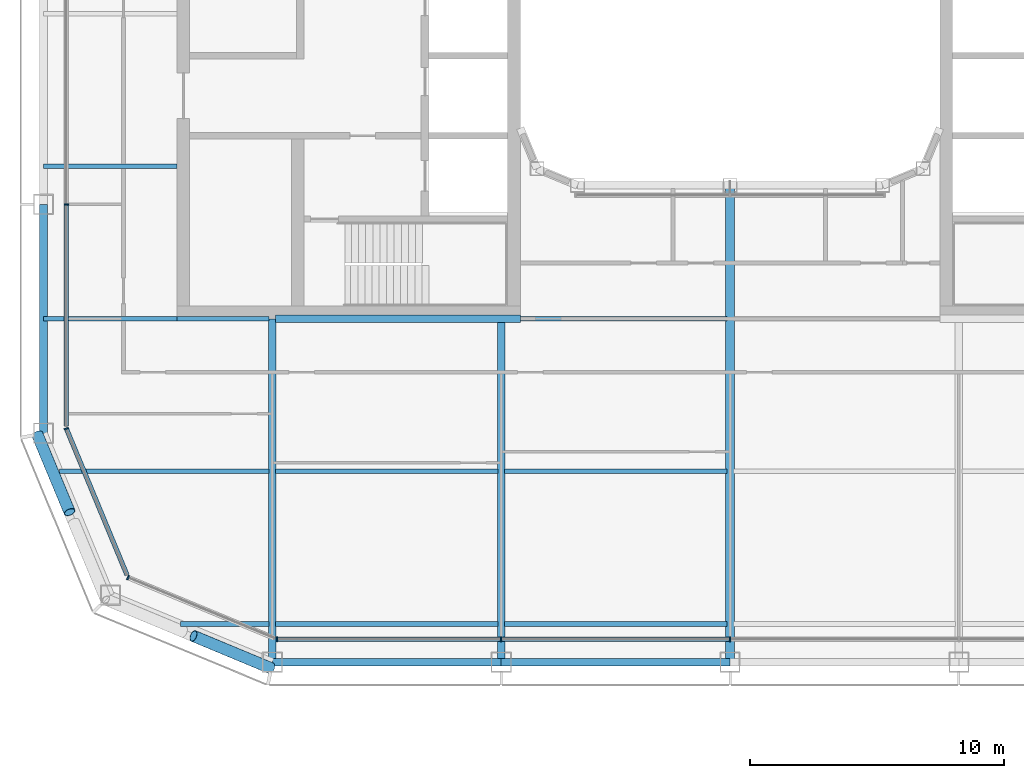
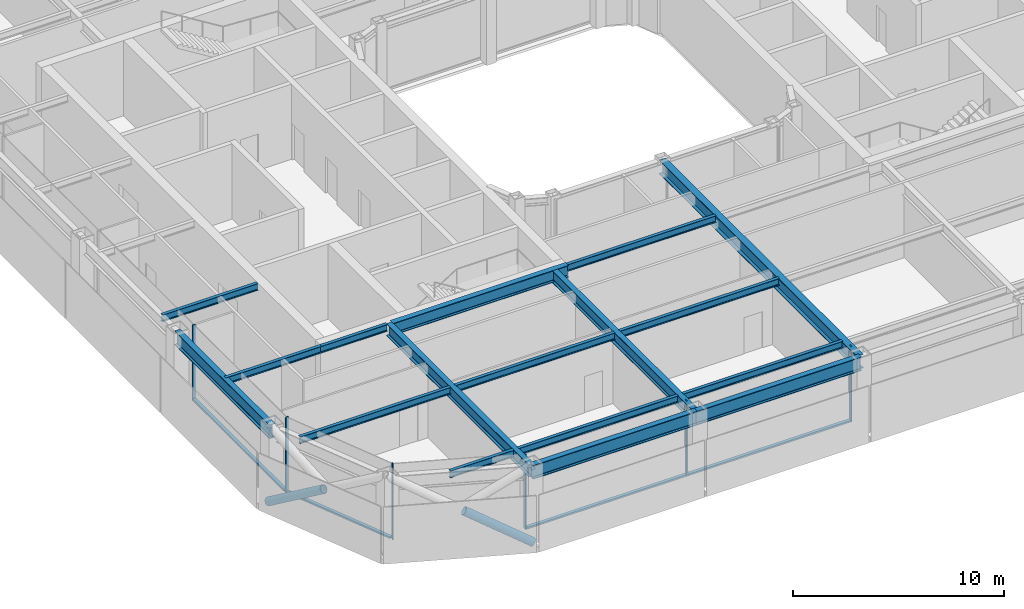
# One storey, part 2 of 23: 17 beams, 12 members, 4 elements without a shape of their own.
"""IFC4 building model written with IfcOpenShell, lengths in metres."""

from ifc_helpers import new_model, si_unit, direction, frame, origin, origin_2d, place, context, subcontext, project, spatial, rectangle, hollow_circle, i_section, extrude, material, layer, layer_set, material_profile, profile_set, type_object, element, aggregate, save


model = new_model("IFC4")

# Units and contexts
model_context = context("Model", 3, precision=1e-05, world=origin(), true_north=direction((0.0, 1.0)))
body_context = subcontext(model_context, "Body", "Model", "MODEL_VIEW")
ifc_project = project(units=[si_unit("LENGTHUNIT", "METRE"), si_unit("AREAUNIT", "SQUARE_METRE"), si_unit("VOLUMEUNIT", "CUBIC_METRE"), si_unit("PLANEANGLEUNIT", "RADIAN"), si_unit("MASSUNIT", "GRAM", prefix="KILO")], contexts=[model_context])

# Site, building, storey
site_placement = place(None, origin())
site = spatial("IfcSite", under=ifc_project, at=site_placement, CompositionType="ELEMENT")
building_placement = place(site_placement, origin())
building = spatial("IfcBuilding", under=site, at=building_placement, Name="Siwar Civic Tower", CompositionType="ELEMENT")
storey_placement = place(building_placement, frame((0.0, 0.0, 237.699951171875)))
storey = spatial("IfcBuildingStorey", under=building, at=storey_placement, Name="L51", CompositionType="ELEMENT", Elevation=237.699951171875)

# Curtain wall, members
ifc_material_1 = material(Name="Aluminium and glass", Category="aluminium")
ifc_layer_1 = layer(ifc_material_1, 0.179931640625)
ifc_layer_set_1 = layer_set([ifc_layer_1], Name="Aluminium and glass")
curtain_wall_type_1 = type_object("IfcCurtainWallType", Name="ENV-CW-C", PredefinedType="NOTDEFINED", material=ifc_layer_set_1)
curtain_wall_1_placement = place(storey_placement, origin())
curtain_wall_1 = element("IfcCurtainWall", 1, at=curtain_wall_1_placement, inside=storey, type_object=curtain_wall_type_1, Name="Curtain wall C S", PredefinedType="NOTDEFINED")
ifc_material_2 = material(Name="Aluminium 6063-T6", Category="aluminium")
ifc_material_profile_1 = material_profile(ifc_material_2, rectangle(XDim=0.179931640625, YDim=0.06005859375, at=origin_2d()), Name="AL 180x60")
ifc_profile_set_1 = profile_set([ifc_material_profile_1], Name="Aluminium 6063-T6")
member_type_1 = type_object("IfcMemberType", Name="ENV-MULLION-C", PredefinedType="MULLION", material=ifc_profile_set_1)
member_1_placement = place(storey_placement, frame((-17.821044921875, -26.10009765625, 0.0), z_axis=(0.0, 0.0, 1.0), x_axis=(0.0, 1.0, 0.0)))
member_1 = element("IfcMember", 2, at=member_1_placement, type_object=member_type_1, Name="Mullion C S 1", PredefinedType="MULLION", context=body_context, shape_type="SweptSolid", body=[
    extrude(rectangle(XDim=0.179931640625, YDim=0.06005859375, at=origin_2d()), origin(), (0.0, 0.0, 1.0), 4.35009765625),
])
member_2_placement = place(storey_placement, frame((-9.0, -26.10009765625, 0.0), z_axis=(0.0, 0.0, 1.0), x_axis=(0.0, 1.0, 0.0)))
member_2 = element("IfcMember", 3, at=member_2_placement, type_object=member_type_1, Name="Mullion C S 2", PredefinedType="MULLION", context=body_context, shape_type="SweptSolid", body=[
    extrude(rectangle(XDim=0.179931640625, YDim=0.06005859375, at=origin_2d()), origin(), (0.0, 0.0, 1.0), 4.35009765625),
])
member_3_placement = place(storey_placement, frame((0.0, -26.10009765625, 0.0), z_axis=(0.0, 0.0, 1.0), x_axis=(0.0, 1.0, 0.0)))
member_3 = element("IfcMember", 4, at=member_3_placement, type_object=member_type_1, Name="Mullion C S 3", PredefinedType="MULLION", context=body_context, shape_type="SweptSolid", body=[
    extrude(rectangle(XDim=0.179931640625, YDim=0.06005859375, at=origin_2d()), origin(), (0.0, 0.0, 1.0), 4.35009765625),
])

# Curtain wall, member
curtain_wall_2_placement = place(storey_placement, origin())
curtain_wall_2 = element("IfcCurtainWall", 5, at=curtain_wall_2_placement, inside=storey, type_object=curtain_wall_type_1, Name="Curtain wall C W", PredefinedType="NOTDEFINED")
member_4_placement = place(storey_placement, frame((-26.10009765625, -9.0, 0.0), z_axis=(0.0, 0.0, 1.0), x_axis=(1.0, 0.0, 0.0)))
member_4 = element("IfcMember", 6, at=member_4_placement, type_object=member_type_1, Name="Mullion C W 4", PredefinedType="MULLION", context=body_context, shape_type="SweptSolid", body=[
    extrude(rectangle(XDim=0.179931640625, YDim=0.06005859375, at=origin_2d()), origin(), (0.0, 0.0, 1.0), 4.35009765625),
])

ifc_material_3 = material(Name="Aluminium clad insulated panel", Category="aluminium")
ifc_layer_2 = layer(ifc_material_3, 0.179931640625)
ifc_layer_set_2 = layer_set([ifc_layer_2], Name="Aluminium clad insulated panel")
curtain_wall_type_2 = type_object("IfcCurtainWallType", Name="ENV-CW-CX", PredefinedType="NOTDEFINED", material=ifc_layer_set_2)
curtain_wall_3_placement = place(storey_placement, origin())
curtain_wall_3 = element("IfcCurtainWall", 7, at=curtain_wall_3_placement, inside=storey, type_object=curtain_wall_type_2, Name="Curtain wall C SW1", PredefinedType="NOTDEFINED")
member_5_placement = place(storey_placement, frame((-26.10009765625, -17.821044921875, 0.0), z_axis=(0.0, 0.0, 1.0), x_axis=(0.923879532511, 0.382683432365, 0.0)))
member_5 = element("IfcMember", 8, at=member_5_placement, type_object=member_type_1, Name="Mullion C SW1 1", PredefinedType="MULLION", context=body_context, shape_type="SweptSolid", body=[
    extrude(rectangle(XDim=0.179931640625, YDim=0.06005859375, at=origin_2d()), origin(), (0.0, 0.0, 1.0), 4.35009765625),
])

curtain_wall_4_placement = place(storey_placement, origin())
curtain_wall_4 = element("IfcCurtainWall", 9, at=curtain_wall_4_placement, inside=storey, type_object=curtain_wall_type_2, Name="Curtain wall C SW2", PredefinedType="NOTDEFINED")
member_6_placement = place(storey_placement, frame((-23.675048828125, -23.675048828125, 0.0), z_axis=(0.0, 0.0, 1.0), x_axis=(0.382683432365, 0.923879532511, 0.0)))
member_6 = element("IfcMember", 10, at=member_6_placement, type_object=member_type_1, Name="Mullion C SW2 1", PredefinedType="MULLION", context=body_context, shape_type="SweptSolid", body=[
    extrude(rectangle(XDim=0.179931640625, YDim=0.06005859375, at=origin_2d()), origin(), (0.0, 0.0, 1.0), 4.35009765625),
])
aggregate(curtain_wall_4, [member_6])

# Member
ifc_material_4 = material(Name="Aluminium 6063-T6", Category="aluminium")
ifc_material_profile_2 = material_profile(ifc_material_4, rectangle(XDim=0.179931640625, YDim=0.10009765625, at=origin_2d()), Name="AL 180x100")
ifc_profile_set_2 = profile_set([ifc_material_profile_2], Name="Aluminium 6063-T6")
member_type_2 = type_object("IfcMemberType", Name="ENV-TRANSOM-C", PredefinedType="USERDEFINED", material=ifc_profile_set_2)
member_7_placement = place(storey_placement, frame((-17.791015625, -26.10009765625, 0.050048828125), z_axis=(1.0, 0.0, 0.0), x_axis=(0.0, 1.0, 0.0)))
member_7 = element("IfcMember", 11, at=member_7_placement, type_object=member_type_2, Name="Transom C S 1", ObjectType="TRANSOM", PredefinedType="USERDEFINED", context=body_context, shape_type="SweptSolid", body=[
    extrude(rectangle(XDim=0.179931640625, YDim=0.10009765625, at=origin_2d()), origin(), (0.0, 0.0, 1.0), 8.760986328125),
])

member_8_placement = place(storey_placement, frame((-8.969970703125, -26.10009765625, 0.050048828125), z_axis=(1.0, 0.0, 0.0), x_axis=(0.0, 1.0, 0.0)))
member_8 = element("IfcMember", 12, at=member_8_placement, type_object=member_type_2, Name="Transom C S 2", ObjectType="TRANSOM", PredefinedType="USERDEFINED", context=body_context, shape_type="SweptSolid", body=[
    extrude(rectangle(XDim=0.179931640625, YDim=0.10009765625, at=origin_2d()), origin(), (0.0, 0.0, 1.0), 8.93994140625),
])

aggregate(curtain_wall_1, [member_1, member_2, member_3, member_7, member_8])

member_9_placement = place(storey_placement, frame((-26.10009765625, -9.030029296875, 0.050048828125), z_axis=(0.0, -1.0, 0.0), x_axis=(1.0, 0.0, 0.0)))
member_9 = element("IfcMember", 13, at=member_9_placement, type_object=member_type_2, Name="Transom C W 4", ObjectType="TRANSOM", PredefinedType="USERDEFINED", context=body_context, shape_type="SweptSolid", body=[
    extrude(rectangle(XDim=0.179931640625, YDim=0.10009765625, at=origin_2d()), origin(), (0.0, 0.0, 1.0), 8.68603515625),
])

aggregate(curtain_wall_2, [member_4, member_9])

member_10_placement = place(storey_placement, frame((-26.088623046875, -17.8486328125, 0.050048828125), z_axis=(0.38267744817, -0.923882011223, 0.0), x_axis=(0.923882011223, 0.38267744817, 0.0)))
member_10 = element("IfcMember", 14, at=member_10_placement, type_object=member_type_2, Name="Transom C SW1 1", ObjectType="TRANSOM", PredefinedType="USERDEFINED", context=body_context, shape_type="SweptSolid", body=[
    extrude(rectangle(XDim=0.179931640625, YDim=0.10009765625, at=origin_2d()), origin(), (0.0, 0.0, 1.0), 6.201904296875),
])

aggregate(curtain_wall_3, [member_5, member_10])

# Members
ifc_material_5 = material(Name="Steel S355", Category="steel")
ifc_material_profile_3 = material_profile(ifc_material_5, hollow_circle(Radius=0.228515625, WallThickness=0.02001953125, at=origin_2d()), Name="CHS457x20")
ifc_profile_set_3 = profile_set([ifc_material_profile_3], Name="Steel S355")
member_type_3 = type_object("IfcMemberType", Name="STR-BR-CHS457x20", PredefinedType="BRACE", material=ifc_profile_set_3)
for number, where, z_axis, x_axis, name in (
    (15, (-18.048828125, -27.2451171875, 0.0), (-0.777546448489, 0.323884455881, 0.538999424564), (-0.38452107079, -0.92311621485, 0.0), "L51/brc/CSW1-11-0-2"),
    (16, (-27.2451171875, -18.048828125, 0.0), (0.323884455881, -0.777546448489, 0.538999424564), (0.92311621485, 0.38452107079, 0.0), "L51/brc/CSW1-11-0-4"),
):
    element("IfcMember", number, at=place(storey_placement, frame(where, z_axis=z_axis, x_axis=x_axis)), inside=storey, type_object=member_type_3, Name=name, PredefinedType="BRACE", context=body_context, shape_type="SweptSolid", body=[
        extrude(hollow_circle(Radius=0.228515625, WallThickness=0.02001953125, at=origin_2d()), origin(), (0.0, 0.0, 1.0), 3.927978515625),
    ])

# Beams
ifc_material_6 = material(Name="Steel S355", Category="steel")
ifc_material_profile_4 = material_profile(ifc_material_6, i_section(OverallWidth=0.179931640625, OverallDepth=0.39990234375, WebThickness=0.008544921875, FlangeThickness=0.013427734375, FilletRadius=0.02099609375, at=origin_2d()), Name="IPE400")
ifc_profile_set_4 = profile_set([ifc_material_profile_4], Name="Steel S355")
beam_type_1 = type_object("IfcBeamType", Name="STR-FB-IPE400", PredefinedType="JOIST", material=ifc_profile_set_4)
beam_1_placement = place(storey_placement, frame((-21.621337890625, -25.5, 4.150146484375), z_axis=(1.0, 0.0, 0.0), x_axis=(0.0, 1.0, 0.0)))
element("IfcBeam", 17, at=beam_1_placement, inside=storey, type_object=beam_type_1, Name="L51/bm/F001", PredefinedType="JOIST", context=body_context, shape_type="SweptSolid", body=[
    extrude(i_section(OverallWidth=0.179931640625, OverallDepth=0.39990234375, WebThickness=0.008544921875, FlangeThickness=0.013427734375, FilletRadius=0.02099609375, at=origin_2d()), origin(), (0.0, 0.0, 1.0), 3.491455078125),
])
for number, where, z_axis, x_axis, name in (
    (18, (-17.8701171875, -25.5, 4.150146484375), (1.0, 0.0, 0.0), (0.0, 1.0, 0.0), "L51/bm/F002"),
    (19, (-8.8701171875, -25.5, 4.150146484375), (1.0, 0.0, 0.0), (0.0, 1.0, 0.0), "L51/bm/F003"),
):
    element("IfcBeam", number, at=place(storey_placement, frame(where, z_axis=z_axis, x_axis=x_axis)), inside=storey, type_object=beam_type_1, Name=name, PredefinedType="JOIST", context=body_context, shape_type="SweptSolid", body=[
        extrude(i_section(OverallWidth=0.179931640625, OverallDepth=0.39990234375, WebThickness=0.008544921875, FlangeThickness=0.013427734375, FilletRadius=0.02099609375, at=origin_2d()), origin(), (0.0, 0.0, 1.0), 8.740234375),
    ])
beam_2_placement = place(storey_placement, frame((-26.378662109375, -19.5, 4.150146484375), z_axis=(1.0, 0.0, 0.0), x_axis=(0.0, 1.0, 0.0)))
element("IfcBeam", 20, at=beam_2_placement, inside=storey, type_object=beam_type_1, Name="L51/bm/F007", PredefinedType="JOIST", context=body_context, shape_type="SweptSolid", body=[
    extrude(i_section(OverallWidth=0.179931640625, OverallDepth=0.39990234375, WebThickness=0.008544921875, FlangeThickness=0.013427734375, FilletRadius=0.02099609375, at=origin_2d()), origin(), (0.0, 0.0, 1.0), 8.248779296875),
])
for number, where, z_axis, x_axis, name in (
    (21, (-17.8701171875, -19.5, 4.150146484375), (1.0, 0.0, 0.0), (0.0, 1.0, 0.0), "L51/bm/F008"),
    (22, (-8.8701171875, -19.5, 4.150146484375), (1.0, 0.0, 0.0), (0.0, 1.0, 0.0), "L51/bm/F009"),
):
    element("IfcBeam", number, at=place(storey_placement, frame(where, z_axis=z_axis, x_axis=x_axis)), inside=storey, type_object=beam_type_1, Name=name, PredefinedType="JOIST", context=body_context, shape_type="SweptSolid", body=[
        extrude(i_section(OverallWidth=0.179931640625, OverallDepth=0.39990234375, WebThickness=0.008544921875, FlangeThickness=0.013427734375, FilletRadius=0.02099609375, at=origin_2d()), origin(), (0.0, 0.0, 1.0), 8.740234375),
    ])
beam_3_placement = place(storey_placement, frame((-27.0, -13.5, 4.150146484375), z_axis=(1.0, 0.0, 0.0), x_axis=(0.0, 1.0, 0.0)))
element("IfcBeam", 23, at=beam_3_placement, inside=storey, type_object=beam_type_1, Name="L51/bm/F013", PredefinedType="JOIST", context=body_context, shape_type="SweptSolid", body=[
    extrude(i_section(OverallWidth=0.179931640625, OverallDepth=0.39990234375, WebThickness=0.008544921875, FlangeThickness=0.013427734375, FilletRadius=0.02099609375, at=origin_2d()), origin(), (0.0, 0.0, 1.0), 5.25),
])
beam_4_placement = place(storey_placement, frame((-21.75, -13.5, 4.150146484375), z_axis=(1.0, 0.0, 0.0), x_axis=(0.0, 1.0, 0.0)))
element("IfcBeam", 24, at=beam_4_placement, inside=storey, type_object=beam_type_1, Name="L51/bm/F014", PredefinedType="JOIST", context=body_context, shape_type="SweptSolid", body=[
    extrude(i_section(OverallWidth=0.179931640625, OverallDepth=0.39990234375, WebThickness=0.008544921875, FlangeThickness=0.013427734375, FilletRadius=0.02099609375, at=origin_2d()), origin(), (0.0, 0.0, 1.0), 3.6201171875),
])
beam_5_placement = place(storey_placement, frame((-8.25, -13.5, 4.150146484375), z_axis=(1.0, 0.0, 0.0), x_axis=(0.0, 1.0, 0.0)))
element("IfcBeam", 25, at=beam_5_placement, inside=storey, type_object=beam_type_1, Name="L51/bm/F016", PredefinedType="JOIST", context=body_context, shape_type="SweptSolid", body=[
    extrude(i_section(OverallWidth=0.179931640625, OverallDepth=0.39990234375, WebThickness=0.008544921875, FlangeThickness=0.013427734375, FilletRadius=0.02099609375, at=origin_2d()), origin(), (0.0, 0.0, 1.0), 8.1201171875),
])
beam_6_placement = place(storey_placement, frame((-27.0, -7.5, 4.150146484375), z_axis=(1.0, 0.0, 0.0), x_axis=(0.0, 1.0, 0.0)))
element("IfcBeam", 26, at=beam_6_placement, inside=storey, type_object=beam_type_1, Name="L51/bm/F021", PredefinedType="JOIST", context=body_context, shape_type="SweptSolid", body=[
    extrude(i_section(OverallWidth=0.179931640625, OverallDepth=0.39990234375, WebThickness=0.008544921875, FlangeThickness=0.013427734375, FilletRadius=0.02099609375, at=origin_2d()), origin(), (0.0, 0.0, 1.0), 5.25),
])
ifc_material_7 = material(Name="Steel S355", Category="steel")
ifc_material_profile_5 = material_profile(ifc_material_7, i_section(OverallWidth=0.300048828125, OverallDepth=0.699951171875, WebThickness=0.01708984375, FlangeThickness=0.031982421875, FilletRadius=0.027099609375, at=origin_2d()), Name="HEB700")
ifc_profile_set_5 = profile_set([ifc_material_profile_5], Name="Steel S355")
beam_type_2 = type_object("IfcBeamType", Name="STR-PG-HEB700", PredefinedType="BEAM", material=ifc_profile_set_5)
for number, where, z_axis, x_axis, name in (
    (27, (-18.0, -27.0, 4.0), (0.0, 1.0, 0.0), (-1.0, 0.0, 0.0), "L51/bm/G01"),
    (28, (-9.0, -27.0, 4.0), (0.0, 1.0, 0.0), (-1.0, 0.0, 0.0), "L51/bm/G03"),
):
    element("IfcBeam", number, at=place(storey_placement, frame(where, z_axis=z_axis, x_axis=x_axis)), inside=storey, type_object=beam_type_2, Name=name, PredefinedType="BEAM", context=body_context, shape_type="SweptSolid", body=[
        extrude(i_section(OverallWidth=0.300048828125, OverallDepth=0.699951171875, WebThickness=0.01708984375, FlangeThickness=0.031982421875, FilletRadius=0.027099609375, at=origin_2d()), origin(), (0.0, 0.0, 1.0), 13.5),
    ])
beam_7_placement = place(storey_placement, frame((-17.8701171875, -13.5, 4.0), z_axis=(1.0, 0.0, 0.0), x_axis=(0.0, 1.0, 0.0)))
element("IfcBeam", 29, at=beam_7_placement, inside=storey, type_object=beam_type_2, Name="L51/bm/F015", PredefinedType="BEAM", context=body_context, shape_type="SweptSolid", body=[
    extrude(i_section(OverallWidth=0.300048828125, OverallDepth=0.699951171875, WebThickness=0.01708984375, FlangeThickness=0.031982421875, FilletRadius=0.027099609375, at=origin_2d()), origin(), (0.0, 0.0, 1.0), 9.6201171875),
])
ifc_material_8 = material(Name="Steel S355", Category="steel")
ifc_material_profile_6 = material_profile(ifc_material_8, i_section(OverallWidth=0.360107421875, OverallDepth=0.800048828125, WebThickness=0.013916015625, FlangeThickness=0.031982421875, at=origin_2d()), Name="PG800x360x14x32")
ifc_profile_set_6 = profile_set([ifc_material_profile_6], Name="Steel S355")
beam_type_3 = type_object("IfcBeamType", Name="STR-PG-PG800x360x14x32", PredefinedType="BEAM", material=ifc_profile_set_6)
beam_8_placement = place(storey_placement, frame((0.0, -27.0, 3.949951171875), z_axis=(0.0, 1.0, 0.0), x_axis=(-1.0, 0.0, 0.0)))
element("IfcBeam", 30, at=beam_8_placement, inside=storey, type_object=beam_type_3, Name="L51/bm/G05", PredefinedType="BEAM", context=body_context, shape_type="SweptSolid", body=[
    extrude(i_section(OverallWidth=0.360107421875, OverallDepth=0.800048828125, WebThickness=0.013916015625, FlangeThickness=0.031982421875, at=origin_2d()), origin(), (0.0, 0.0, 1.0), 18.75),
])
ifc_material_9 = material(Name="Steel S355", Category="steel")
ifc_material_profile_7 = material_profile(ifc_material_9, i_section(OverallWidth=0.300048828125, OverallDepth=0.800048828125, WebThickness=0.017578125, FlangeThickness=0.032958984375, FilletRadius=0.030029296875, at=origin_2d()), Name="HEB800")
ifc_profile_set_7 = profile_set([ifc_material_profile_7], Name="Steel S355")
beam_type_4 = type_object("IfcBeamType", Name="STR-SB-HEB800", PredefinedType="BEAM", material=ifc_profile_set_7)
for number, where, z_axis, x_axis, name in (
    (31, (-18.0, -27.0, 3.949951171875), (1.0, 0.0, 0.0), (0.0, 1.0, 0.0), "L51/bm/SS-0"),
    (32, (-9.0, -27.0, 3.949951171875), (1.0, 0.0, 0.0), (0.0, 1.0, 0.0), "L51/bm/SS-1"),
    (33, (-27.0, -9.0, 3.949951171875), (0.0, -1.0, 0.0), (1.0, 0.0, 0.0), "L51/bm/SW-3"),
):
    element("IfcBeam", number, at=place(storey_placement, frame(where, z_axis=z_axis, x_axis=x_axis)), inside=storey, type_object=beam_type_4, Name=name, PredefinedType="BEAM", context=body_context, shape_type="SweptSolid", body=[
        extrude(i_section(OverallWidth=0.300048828125, OverallDepth=0.800048828125, WebThickness=0.017578125, FlangeThickness=0.032958984375, FilletRadius=0.030029296875, at=origin_2d()), origin(), (0.0, 0.0, 1.0), 9.0),
    ])

save(model, "model.ifc")
